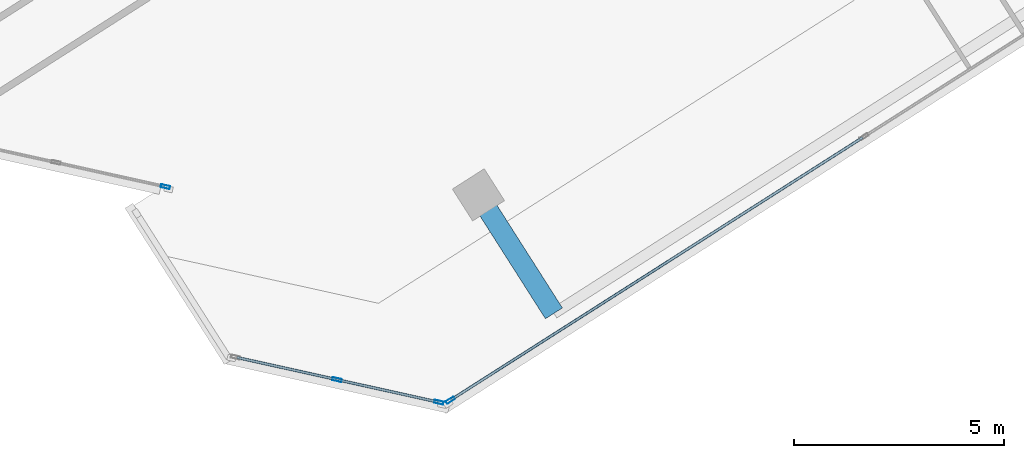
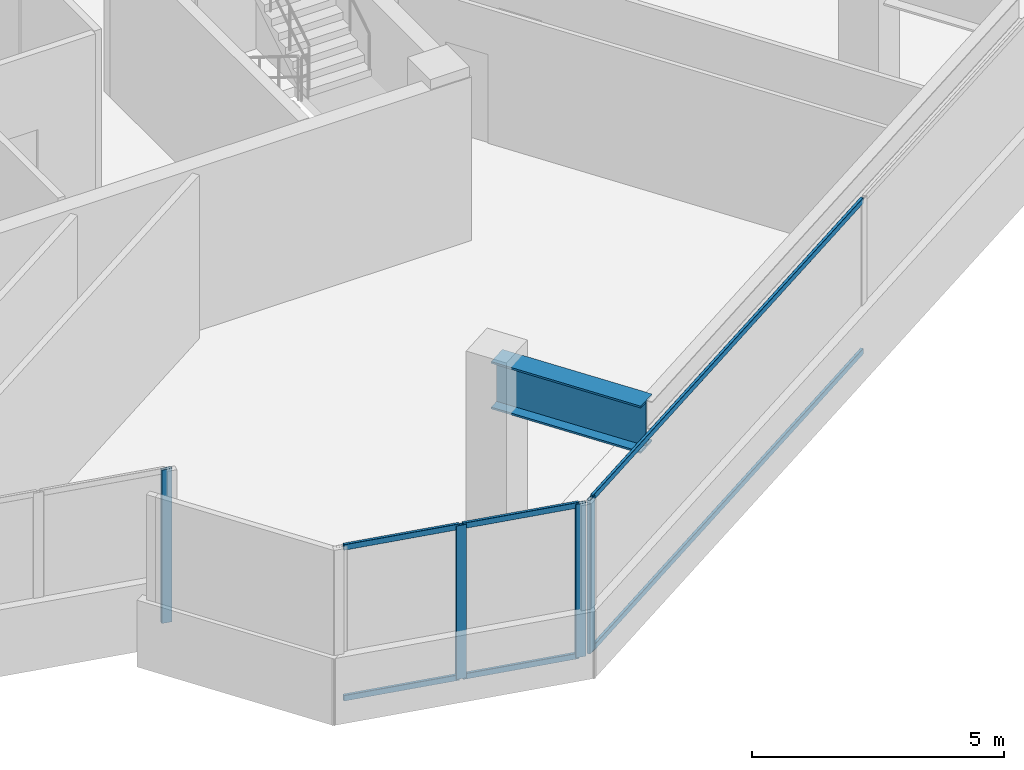
# One storey, part 3 of 15: 10 members, 1 beam, 3 elements without a shape of their own.
"""IFC4 building model written with IfcOpenShell, lengths in metres."""

from ifc_helpers import new_model, si_unit, direction, frame, origin, origin_2d, place, context, subcontext, project, spatial, hollow_rectangle, i_section, extrude, source, transform, mapped, material, material_profile, profile_set, type_object, element, aggregate, save


model = new_model("IFC4")

# Units and contexts
model_context = context("Model", 3, precision=1e-05, world=origin(), true_north=direction((0.0, 1.0)))
body_context = subcontext(model_context, "Body", "Model", "MODEL_VIEW")
ifc_project = project(units=[si_unit("LENGTHUNIT", "METRE"), si_unit("AREAUNIT", "SQUARE_METRE"), si_unit("VOLUMEUNIT", "CUBIC_METRE"), si_unit("PLANEANGLEUNIT", "RADIAN"), si_unit("MASSUNIT", "GRAM", prefix="KILO")], contexts=[model_context])

# Site, building, storey
site_placement = place(None, origin())
site = spatial("IfcSite", under=ifc_project, at=site_placement, CompositionType="ELEMENT")
building_placement = place(site_placement, origin())
building = spatial("IfcBuilding", under=site, at=building_placement, Name="Torre Montelarca", CompositionType="ELEMENT")
storey_placement = place(building_placement, frame((0.0, 0.0, 311.39990234375)))
storey = spatial("IfcBuildingStorey", under=building, at=storey_placement, Name="L70", CompositionType="ELEMENT", Elevation=311.39990234375)

# Beam
ifc_material_1 = material(Name="Steel ASTM A572 Grade 50", Category="steel")
ifc_material_profile_1 = material_profile(ifc_material_1, i_section(OverallWidth=0.47998046875, OverallDepth=1.14990234375, WebThickness=0.02197265625, FlangeThickness=0.044921875, at=origin_2d()), Name="PG1150X480X22X45", Category="steel")
ifc_profile_set_1 = profile_set([ifc_material_profile_1], Name="Steel ASTM A572 Grade 50")
beam_type = type_object("IfcBeamType", Name="BM-CG-PG1400-EXT", PredefinedType="USERDEFINED", material=ifc_profile_set_1)
shared_shape_1 = source(origin(), body_context, "Body", "SweptSolid", [
    extrude(i_section(OverallWidth=0.47998046875, OverallDepth=1.14990234375, WebThickness=0.02197265625, FlangeThickness=0.044921875, at=origin_2d()), origin(), (0.0, 0.0, 1.0), 3.349853515625),
])
beam_placement = place(storey_placement, frame((22.543701171875, 15.472412109375, 3.385009765625), z_axis=(0.537342268985, -0.843364266472, 0.0), x_axis=(0.843364266472, 0.537342268985, 0.0)))
element("IfcBeam", 1, at=beam_placement, inside=storey, type_object=beam_type, Name="L70 Sliding Tray Cantilever Girder East Y=24m (FLR)", ObjectType="CANTILEVER GIRDER", PredefinedType="USERDEFINED", context=body_context, shape_type="MappedRepresentation", body=[
    mapped(shared_shape_1, transform((0.0, 0.0, 0.0), scale=1.0)),
])

# Curtain wall, member
ifc_material_2 = material(Name="Insulated low-E laminated glass", Category="glass")
curtain_wall_type = type_object("IfcCurtainWallType", Name="CW-SYS-Z4", PredefinedType="USERDEFINED", material=ifc_material_2)
curtain_wall_1_placement = place(storey_placement, origin())
curtain_wall_1 = element("IfcCurtainWall", 2, at=curtain_wall_1_placement, inside=storey, type_object=curtain_wall_type, Name="L70 Curtain Wall Run CW-T3-L70-E02-B1", ObjectType="UNITISED GLAZING", PredefinedType="USERDEFINED")
ifc_material_3 = material(Name="Anodised aluminium AA 6063-T6", Category="aluminium")
ifc_material_profile_2 = material_profile(ifc_material_3, hollow_rectangle(XDim=0.074951171875, YDim=0.219970703125, WallThickness=0.0048828125, InnerFilletRadius=0.0048828125, OuterFilletRadius=0.010009765625, at=origin_2d()), Name="ALU75X220X5", Category="aluminium")
ifc_profile_set_2 = profile_set([ifc_material_profile_2], Name="Anodised aluminium AA 6063-T6")
member_type_1 = type_object("IfcMemberType", Name="CWM-ALU220", PredefinedType="MULLION", material=ifc_profile_set_2)
shared_shape_2 = source(origin(), body_context, "Body", "SweptSolid", [
    extrude(hollow_rectangle(XDim=0.074951171875, YDim=0.219970703125, WallThickness=0.0048828125, InnerFilletRadius=0.0048828125, OuterFilletRadius=0.010009765625, at=origin_2d()), origin(), (0.0, 0.0, 1.0), 3.72021484375),
])
member_1_placement = place(storey_placement, frame((15.077880859375, 15.667236328125, 0.0), z_axis=(0.0, 0.0, 1.0), x_axis=(0.216448974638, 0.976293931856, 0.0)))
member_1 = element("IfcMember", 3, at=member_1_placement, type_object=member_type_1, Name="CW mullion 3", PredefinedType="MULLION", context=body_context, shape_type="MappedRepresentation", body=[
    mapped(shared_shape_2, transform((0.0, 0.0, 0.0), scale=1.0)),
])
aggregate(curtain_wall_1, [member_1])

# Curtain wall, members
curtain_wall_2_placement = place(storey_placement, origin())
curtain_wall_2 = element("IfcCurtainWall", 4, at=curtain_wall_2_placement, inside=storey, type_object=curtain_wall_type, Name="L70 Curtain Wall Run CW-T3-L70-E05-B1", ObjectType="UNITISED GLAZING", PredefinedType="USERDEFINED")
member_2_placement = place(storey_placement, frame((19.176513671875, 11.06494140625, 0.0), z_axis=(0.0, 0.0, 1.0), x_axis=(0.216439080105, 0.976296125468, 0.0)))
member_2 = element("IfcMember", 5, at=member_2_placement, type_object=member_type_1, Name="CW mullion 2", PredefinedType="MULLION", context=body_context, shape_type="MappedRepresentation", body=[
    mapped(shared_shape_2, transform((0.0, 0.0, 0.0), scale=1.0)),
])
member_3_placement = place(storey_placement, frame((21.601318359375, 10.52734375, 0.0), z_axis=(0.0, 0.0, 1.0), x_axis=(0.216439080105, 0.976296125468, 0.0)))
member_3 = element("IfcMember", 6, at=member_3_placement, type_object=member_type_1, Name="CW mullion 3", PredefinedType="MULLION", context=body_context, shape_type="MappedRepresentation", body=[
    mapped(shared_shape_2, transform((0.0, 0.0, 0.0), scale=1.0)),
])

# Curtain wall, member
curtain_wall_3_placement = place(storey_placement, origin())
curtain_wall_3 = element("IfcCurtainWall", 7, at=curtain_wall_3_placement, inside=storey, type_object=curtain_wall_type, Name="L70 Curtain Wall Run CW-T3-L70-E06-B1", ObjectType="UNITISED GLAZING", PredefinedType="USERDEFINED")
member_4_placement = place(storey_placement, frame((21.873291015625, 10.5751953125, 0.0), z_axis=(0.0, 0.0, 1.0), x_axis=(-0.537301679311, 0.84339012646, 0.0)))
member_4 = element("IfcMember", 8, at=member_4_placement, type_object=member_type_1, Name="CW mullion 1", PredefinedType="MULLION", context=body_context, shape_type="MappedRepresentation", body=[
    mapped(shared_shape_2, transform((0.0, 0.0, 0.0), scale=1.0)),
])

# Member
ifc_material_profile_3 = material_profile(ifc_material_3, hollow_rectangle(XDim=0.06494140625, YDim=0.139892578125, WallThickness=0.00390625, InnerFilletRadius=0.00390625, OuterFilletRadius=0.008056640625, at=origin_2d()), Name="ALU65X140X4", Category="aluminium")
ifc_profile_set_3 = profile_set([ifc_material_profile_3], Name="Anodised aluminium AA 6063-T6")
member_type_2 = type_object("IfcMemberType", Name="CWT-ALU140", PredefinedType="USERDEFINED", material=ifc_profile_set_3)
shared_shape_3 = source(origin(), body_context, "Body", "SweptSolid", [
    extrude(hollow_rectangle(XDim=0.06494140625, YDim=0.139892578125, WallThickness=0.00390625, InnerFilletRadius=0.00390625, OuterFilletRadius=0.008056640625, at=origin_2d()), origin(), (0.0, 0.0, 1.0), 2.40869140625),
])
member_5_placement = place(storey_placement, frame((16.788330078125, 11.594482421875, 0.03271484375), z_axis=(0.976282361765, -0.216501154976, 0.0), x_axis=(0.216501154976, 0.976282361765, 0.0)))
member_5 = element("IfcMember", 9, at=member_5_placement, type_object=member_type_2, Name="CW transom 1.1", ObjectType="TRANSOM", PredefinedType="USERDEFINED", context=body_context, shape_type="MappedRepresentation", body=[
    mapped(shared_shape_3, transform((0.0, 0.0, 0.0), scale=1.0)),
])

member_6_placement = place(storey_placement, frame((16.788330078125, 11.594482421875, 3.6875), z_axis=(0.976282361765, -0.216501154976, 0.0), x_axis=(0.216501154976, 0.976282361765, 0.0)))
member_6 = element("IfcMember", 10, at=member_6_placement, type_object=member_type_2, Name="CW transom 1.2", ObjectType="TRANSOM", PredefinedType="USERDEFINED", context=body_context, shape_type="MappedRepresentation", body=[
    mapped(shared_shape_3, transform((0.0, 0.0, 0.0), scale=1.0)),
])

member_7_placement = place(storey_placement, frame((19.213134765625, 11.056884765625, 0.03271484375), z_axis=(0.976282361765, -0.216501154976, 0.0), x_axis=(0.216501154976, 0.976282361765, 0.0)))
member_7 = element("IfcMember", 11, at=member_7_placement, type_object=member_type_2, Name="CW transom 2.1", ObjectType="TRANSOM", PredefinedType="USERDEFINED", context=body_context, shape_type="MappedRepresentation", body=[
    mapped(shared_shape_3, transform((0.0, 0.0, 0.0), scale=1.0)),
])

member_8_placement = place(storey_placement, frame((19.213134765625, 11.056884765625, 3.6875), z_axis=(0.976282361765, -0.216501154976, 0.0), x_axis=(0.216501154976, 0.976282361765, 0.0)))
member_8 = element("IfcMember", 12, at=member_8_placement, type_object=member_type_2, Name="CW transom 2.2", ObjectType="TRANSOM", PredefinedType="USERDEFINED", context=body_context, shape_type="MappedRepresentation", body=[
    mapped(shared_shape_3, transform((0.0, 0.0, 0.0), scale=1.0)),
])

aggregate(curtain_wall_2, [member_2, member_3, member_5, member_6, member_7, member_8])

shared_shape_4 = source(origin(), body_context, "Body", "SweptSolid", [
    extrude(hollow_rectangle(XDim=0.06494140625, YDim=0.139892578125, WallThickness=0.00390625, InnerFilletRadius=0.00390625, OuterFilletRadius=0.008056640625, at=origin_2d()), origin(), (0.0, 0.0, 1.0), 11.62158203125),
])
member_9_placement = place(storey_placement, frame((21.905029296875, 10.595458984375, 0.03271484375), z_axis=(0.843386302906, 0.537307681008, 0.0), x_axis=(-0.537307681008, 0.843386302906, 0.0)))
member_9 = element("IfcMember", 13, at=member_9_placement, type_object=member_type_2, Name="CW transom 1.1", ObjectType="TRANSOM", PredefinedType="USERDEFINED", context=body_context, shape_type="MappedRepresentation", body=[
    mapped(shared_shape_4, transform((0.0, 0.0, 0.0), scale=1.0)),
])

member_10_placement = place(storey_placement, frame((21.905029296875, 10.595458984375, 3.6875), z_axis=(0.843386302906, 0.537307681008, 0.0), x_axis=(-0.537307681008, 0.843386302906, 0.0)))
member_10 = element("IfcMember", 14, at=member_10_placement, type_object=member_type_2, Name="CW transom 1.2", ObjectType="TRANSOM", PredefinedType="USERDEFINED", context=body_context, shape_type="MappedRepresentation", body=[
    mapped(shared_shape_4, transform((0.0, 0.0, 0.0), scale=1.0)),
])

aggregate(curtain_wall_3, [member_4, member_9, member_10])

save(model, "model.ifc")
